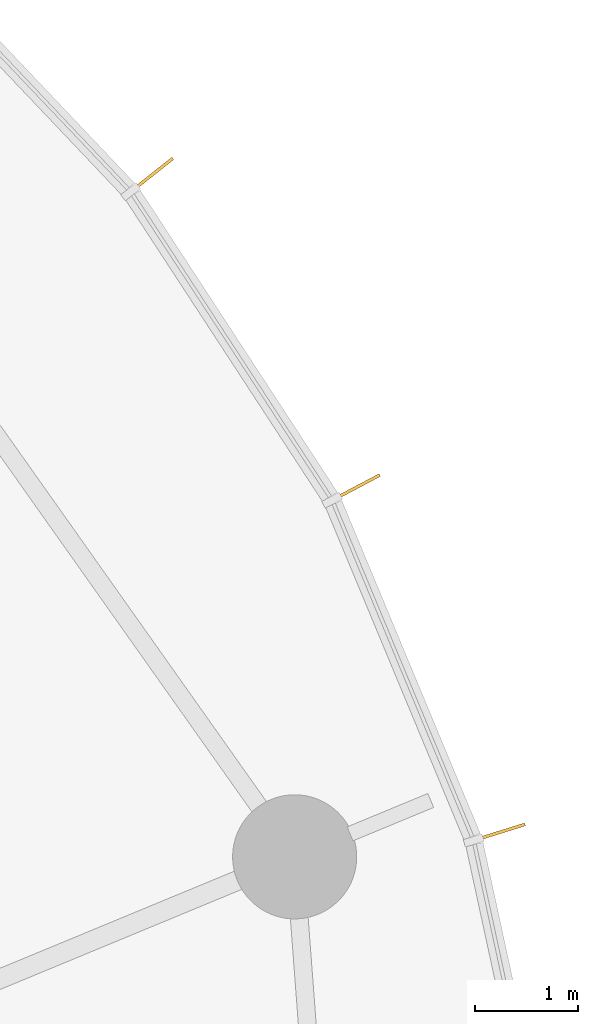
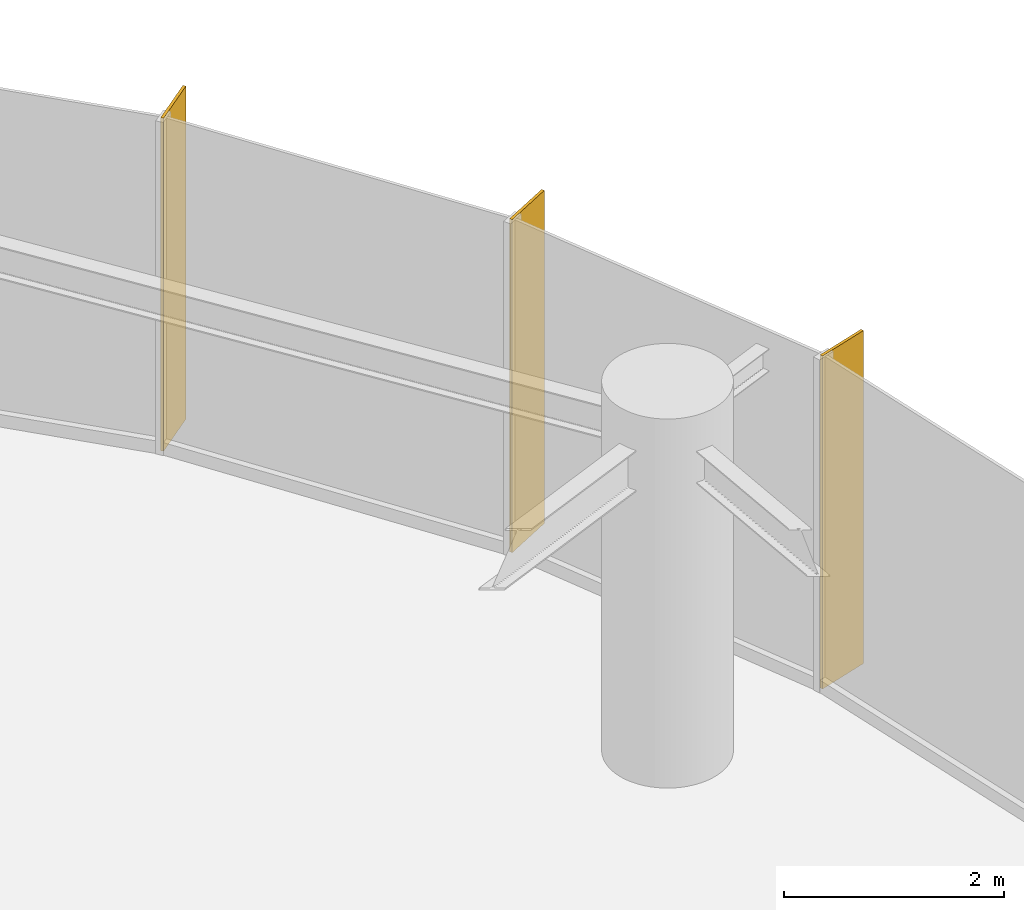
# One storey, part 17 of 17: 3 shading devices.
"""IFC4 building model written with IfcOpenShell, lengths in metres."""

import ifcopenshell
import ifcopenshell.guid

model = None  # the IFC model being written
_history = None  # IfcOwnerHistory: only IFC2X3 demands one
_inside = {}  # id of a spatial element -> (the spatial element, [elements in it])
_under = {}  # id of a project, library or spatial element -> (it, [spatial elements below it])
_declared = {}  # id of a project -> (the project, [libraries it declares])
_typed = {}  # id of a type object -> (the type object, [elements of that type])
_made_of = {}  # id of a material, layer set ... -> (it, [elements and type objects made of it])


def new_model(schema):
    """Start an empty IFC model of exactly this schema.

    Asked for "IFC4X3", IfcOpenShell would pick the latest addendum, in which some entities
    have other attributes; the version numbers below select the first issue.
    IFC2X3 requires an IfcOwnerHistory on every rooted entity: one is made here for all.
    """
    global model, _history
    if schema == "IFC4X3":
        model = ifcopenshell.file(schema_version=(4, 3, 0, 0))
    else:
        model = ifcopenshell.file(schema=schema)
    _inside.clear()
    _under.clear()
    _declared.clear()
    _typed.clear()
    _made_of.clear()
    _history = None
    if model.schema == "IFC2X3":
        org = make("IfcOrganization", Name="unknown")
        user = make(
            "IfcPersonAndOrganization",
            ThePerson=make("IfcPerson", FamilyName="unknown"),
            TheOrganization=org,
        )
        app = make(
            "IfcApplication",
            ApplicationDeveloper=org,
            Version="unknown",
            ApplicationFullName="unknown",
            ApplicationIdentifier="unknown",
        )
        _history = make(
            "IfcOwnerHistory",
            OwningUser=user,
            OwningApplication=app,
            ChangeAction="ADDED",
            CreationDate=0,
        )
    return model


def make(cls, **values):
    """One entity of the class cls with the attributes given. An attribute that is None is left unset."""
    return model.create_entity(
        cls, **{name: value for name, value in values.items() if value is not None}
    )


def rooted(cls, **values):
    """An entity with a GlobalId (a new one), such as an element, a storey or a relation."""
    return make(cls, GlobalId=ifcopenshell.guid.new(), OwnerHistory=_history, **values)


def si_unit(unit_type, name, prefix=None):
    """IfcSIUnit, for example si_unit("LENGTHUNIT", "METRE", prefix="MILLI")."""
    return make("IfcSIUnit", UnitType=unit_type, Prefix=prefix, Name=name)


def assignment(units):
    """IfcUnitAssignment: the units of a project."""
    return None if units is None else make("IfcUnitAssignment", Units=units)


def point(xyz):
    """IfcCartesianPoint."""
    return None if xyz is None else make("IfcCartesianPoint", Coordinates=xyz)


def direction(xyz):
    """IfcDirection."""
    return None if xyz is None else make("IfcDirection", DirectionRatios=xyz)


def frame(location, z_axis=None, x_axis=None):
    """IfcAxis2Placement3D, a coordinate frame: its origin and axes. An axis left out is left unset."""
    return make(
        "IfcAxis2Placement3D",
        Location=point(location),
        Axis=direction(z_axis),
        RefDirection=direction(x_axis),
    )


def frame_2d(location, x_axis=None):
    """IfcAxis2Placement2D, a coordinate frame in the plane: its origin and x axis."""
    return make(
        "IfcAxis2Placement2D", Location=point(location), RefDirection=direction(x_axis)
    )


def origin():
    """The frame at (0, 0, 0) with its axes left unset."""
    return frame((0.0, 0.0, 0.0))


def origin_2d():
    """The frame at (0, 0) in the plane with its x axis left unset."""
    return frame_2d((0.0, 0.0))


def place(relative_to, where):
    """IfcLocalPlacement: puts the frame where relative to a parent placement (None: the world)."""
    return make(
        "IfcLocalPlacement", PlacementRelTo=relative_to, RelativePlacement=where
    )


def context(
    kind, dimensions, precision=None, world=None, true_north=None, identifier=None
):
    """IfcGeometricRepresentationContext, for example the 3D "Model" context."""
    return make(
        "IfcGeometricRepresentationContext",
        ContextIdentifier=identifier,
        ContextType=kind,
        CoordinateSpaceDimension=dimensions,
        Precision=precision,
        WorldCoordinateSystem=world,
        TrueNorth=true_north,
    )


def subcontext(parent, identifier, kind, view, scale=None):
    """IfcGeometricRepresentationSubContext, for example "Body" below "Model"."""
    return make(
        "IfcGeometricRepresentationSubContext",
        ContextIdentifier=identifier,
        ContextType=kind,
        ParentContext=parent,
        TargetScale=scale,
        TargetView=view,
    )


def project(units=None, contexts=None):
    """IfcProject with its units and contexts."""
    return rooted(
        "IfcProject",
        Name="project",
        RepresentationContexts=contexts,
        UnitsInContext=assignment(units),
    )


def spatial(cls, under=None, at=None, **own):
    """A site, building, storey or space (cls), placed at a placement, below another one or the project."""
    s = rooted(cls, ObjectPlacement=at, **own)
    if under is not None:
        _under.setdefault(under.id(), (under, []))[1].append(s)
    return s


def profile(cls, at=None, kind="AREA", **sizes):
    """A parametric profile (cls). Its sizes go by their IFC names, for example OverallWidth=200.0."""
    return make(cls, ProfileType=kind, Position=at, **sizes)


def rectangle(**sizes):
    """IfcRectangleProfileDef."""
    return profile("IfcRectangleProfileDef", **sizes)


def extrude(swept, where, along, depth):
    """IfcExtrudedAreaSolid: the profile swept, set in the frame where, extruded along a direction by depth."""
    return make(
        "IfcExtrudedAreaSolid",
        SweptArea=swept,
        Position=where,
        ExtrudedDirection=direction(along),
        Depth=depth,
    )


def shape(context_of_items, identifier, shape_type, items):
    """IfcShapeRepresentation: the items that make up one representation, for example the "Body"."""
    return make(
        "IfcShapeRepresentation",
        ContextOfItems=context_of_items,
        RepresentationIdentifier=identifier,
        RepresentationType=shape_type,
        Items=items,
    )


def source(mapping_origin, context_of_items, identifier, shape_type, items):
    """IfcRepresentationMap: a shape defined once, which mapped items show again and again."""
    return make(
        "IfcRepresentationMap",
        MappingOrigin=mapping_origin,
        MappedRepresentation=shape(context_of_items, identifier, shape_type, items),
    )


def transform(
    local_origin,
    x_axis=None,
    y_axis=None,
    z_axis=None,
    scale=None,
    scale2=None,
    scale3=None,
    uniform=True,
):
    """IfcCartesianTransformationOperator3D, or its non-uniform kind. x_axis, y_axis, z_axis: its Axis1, 2, 3."""
    if uniform:
        return make(
            "IfcCartesianTransformationOperator3D",
            Axis1=direction(x_axis),
            Axis2=direction(y_axis),
            LocalOrigin=point(local_origin),
            Scale=scale,
            Axis3=direction(z_axis),
        )
    return make(
        "IfcCartesianTransformationOperator3DnonUniform",
        Axis1=direction(x_axis),
        Axis2=direction(y_axis),
        LocalOrigin=point(local_origin),
        Scale=scale,
        Axis3=direction(z_axis),
        Scale2=scale2,
        Scale3=scale3,
    )


def mapped(mapping_source, mapping_target):
    """IfcMappedItem: shows the shape of a source again, moved by a transform."""
    return make(
        "IfcMappedItem", MappingSource=mapping_source, MappingTarget=mapping_target
    )


def material(Name=None, Category=None):
    """IfcMaterial."""
    return make("IfcMaterial", Name=Name, Category=Category)


def material_profile(
    of_material, cross_section, Name=None, Category=None, Priority=None
):
    """IfcMaterialProfile: a cross section and its material."""
    return make(
        "IfcMaterialProfile",
        Name=Name,
        Material=of_material,
        Profile=cross_section,
        Priority=Priority,
        Category=Category,
    )


def profile_set(profiles, Name=None, composite=None):
    """IfcMaterialProfileSet."""
    return make(
        "IfcMaterialProfileSet",
        Name=Name,
        MaterialProfiles=profiles,
        CompositeProfile=composite,
    )


def made_of(thing, what):
    """Note that an element or type object is made of a material, layer set ...; save() writes the relation."""
    if what is not None:
        _made_of.setdefault(what.id(), (what, []))[1].append(thing)
    return thing


def type_object(cls, material=None, **own):
    """A type object (cls), such as IfcWallType, which elements share."""
    return made_of(rooted(cls, **own), material)


def element(
    cls,
    number,
    at=None,
    inside=None,
    cuts=None,
    type_object=None,
    material=None,
    context=None,
    identifier="Body",
    shape_type=None,
    held_by="IfcProductDefinitionShape",
    body=None,
    shapes=None,
    **own,
):
    """One element of the class cls, such as IfcWall. Its Tag is "e" and its number.

    at: its placement. inside: the storey or other place that contains it. cuts: it is an
    opening in that element (IfcRelVoidsElement). A single representation is given by context,
    identifier, shape_type and body (its items); several are given by shapes. held_by: the class
    of the entity that holds the representations. save() writes the other relations.
    """
    e = rooted(cls, Tag="e%d" % number, ObjectPlacement=at, **own)
    if body is not None:
        shapes = [shape(context, identifier, shape_type, body)]
    if shapes is not None:
        e.Representation = make(held_by, Representations=shapes)
    if inside is not None:
        _inside.setdefault(inside.id(), (inside, []))[1].append(e)
    if cuts is not None:
        rooted(
            "IfcRelVoidsElement", RelatingBuildingElement=cuts, RelatedOpeningElement=e
        )
    if type_object is not None:
        _typed.setdefault(type_object.id(), (type_object, []))[1].append(e)
    return made_of(e, material)


def aggregate(whole, parts):
    """IfcRelAggregates: a whole, such as a stair, and the parts it consists of."""
    return rooted("IfcRelAggregates", RelatingObject=whole, RelatedObjects=parts)


def save(model, path):
    """Write the relations noted so far, then the file.

    IfcRelAggregates (storeys below a building ...), IfcRelContainedInSpatialStructure (elements
    in a storey), IfcRelDefinesByType, IfcRelAssociatesMaterial and IfcRelDeclares: one each for
    every whole, place, type object, material and project.
    """
    for whole, parts in _under.values():
        aggregate(whole, parts)
    for where, things in _inside.values():
        rooted(
            "IfcRelContainedInSpatialStructure",
            RelatedElements=things,
            RelatingStructure=where,
        )
    for kind, things in _typed.values():
        rooted("IfcRelDefinesByType", RelatedObjects=things, RelatingType=kind)
    for what, things in _made_of.values():
        rooted("IfcRelAssociatesMaterial", RelatedObjects=things, RelatingMaterial=what)
    for by, libraries in _declared.values():
        rooted("IfcRelDeclares", RelatingContext=by, RelatedDefinitions=libraries)
    model.write(path)


model = new_model("IFC4")

# Units and contexts
model_context = context("Model", 3, precision=1e-05, world=origin(), true_north=direction((0.0, 1.0)))
body_context = subcontext(model_context, "Body", "Model", "MODEL_VIEW")
ifc_project = project(units=[si_unit("LENGTHUNIT", "METRE"), si_unit("AREAUNIT", "SQUARE_METRE"), si_unit("VOLUMEUNIT", "CUBIC_METRE"), si_unit("PLANEANGLEUNIT", "RADIAN"), si_unit("MASSUNIT", "GRAM", prefix="KILO")], contexts=[model_context])

# Site, building, storey
site_placement = place(None, origin())
site = spatial("IfcSite", under=ifc_project, at=site_placement, CompositionType="ELEMENT")
building_placement = place(site_placement, origin())
building = spatial("IfcBuilding", under=site, at=building_placement, Name="Spindrift Exchange Tower", CompositionType="ELEMENT")
storey_placement = place(building_placement, frame((0.0, 0.0, 112.60009765625)))
storey = spatial("IfcBuildingStorey", under=building, at=storey_placement, Name="L26", CompositionType="ELEMENT", Elevation=112.60009765625)

# Shading devices
ifc_material = material(Name="Bronze anodised aluminium", Category="aluminium")
ifc_material_profile = material_profile(ifc_material, rectangle(XDim=0.030029296875, YDim=0.550048828125, at=origin_2d()), Name="WIND FIN 30X550")
ifc_profile_set = profile_set([ifc_material_profile], Name="Bronze anodised aluminium")
shading_device_type = type_object("IfcShadingDeviceType", Name="WIND FIN 30X550", PredefinedType="USERDEFINED", material=ifc_profile_set)
shared_shape = source(origin(), body_context, "Body", "SweptSolid", [
    extrude(rectangle(XDim=0.030029296875, YDim=0.550048828125, at=origin_2d()), origin(), (0.0, 0.0, 1.0), 3.699951171875),
])
for number, where, z_axis, x_axis, name in (
    (1, (81.034912109375, 63.349365234375, 0.0), (0.0, 0.0, 1.0), (-0.467366720717, 0.884063543172, 0.0), "L26 wind fin 2"),
    (2, (79.0625, 66.369873046875, 0.0), (0.0, 0.0, 1.0), (-0.620055671289, 0.784557814634, 0.0), "L26 wind fin 3"),
    (3, (82.42041015625, 60.0185546875, 0.0), (0.0, 0.0, 1.0), (-0.29915237627, 0.954205353041, 0.0), "L26 wind fin 4"),
):
    element("IfcShadingDevice", number, at=place(storey_placement, frame(where, z_axis=z_axis, x_axis=x_axis)), inside=storey, type_object=shading_device_type, Name=name, ObjectType="FIN", PredefinedType="USERDEFINED", context=body_context, shape_type="MappedRepresentation", body=[
        mapped(shared_shape, transform((0.0, 0.0, 0.0), scale=1.0)),
    ])

save(model, "model.ifc")
